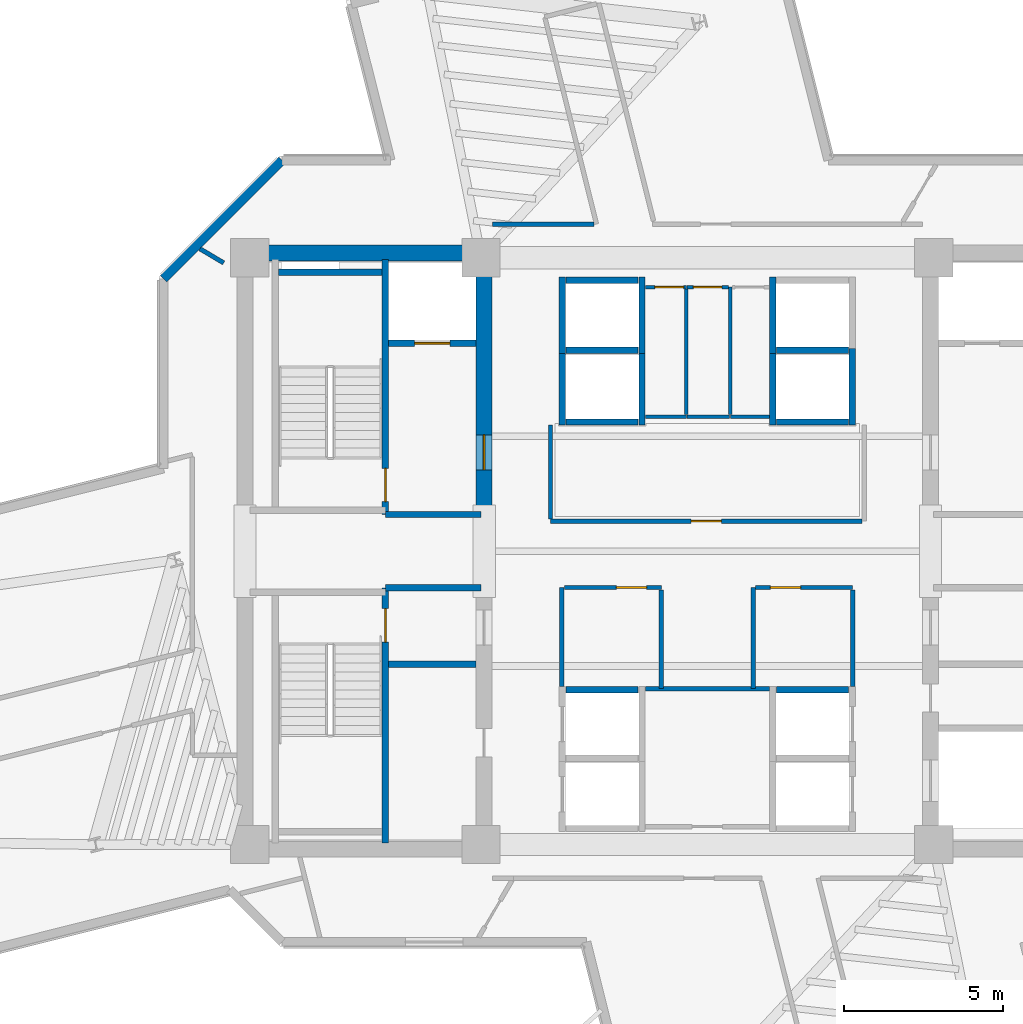
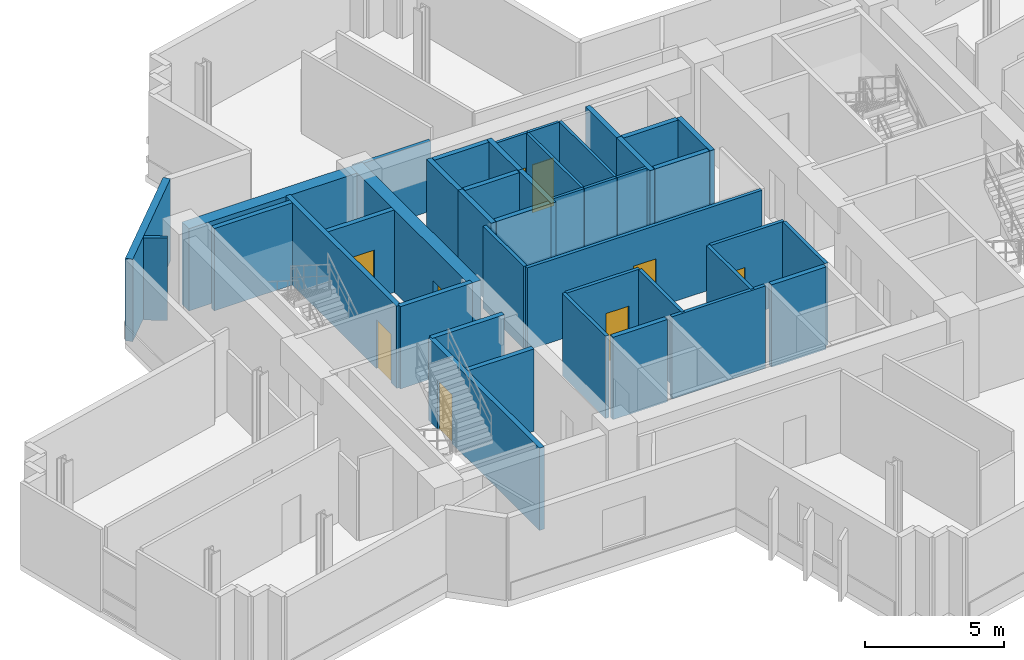
# One storey, part 7 of 13: 42 walls, 9 doors, 9 openings.
"""IFC4 building model written with IfcOpenShell, lengths in metres."""

from ifc_helpers import new_model, si_unit, direction, frame, frame_2d, origin, place, context, subcontext, project, spatial, rectangle, extrude, source, transform, mapped, material, layer, layer_set, type_object, element, fill, save


model = new_model("IFC4")

# Units and contexts
model_context = context("Model", 3, precision=1e-05, world=origin(), true_north=direction((0.0, 1.0)))
body_context = subcontext(model_context, "Body", "Model", "MODEL_VIEW")
ifc_project = project(units=[si_unit("LENGTHUNIT", "METRE"), si_unit("AREAUNIT", "SQUARE_METRE"), si_unit("VOLUMEUNIT", "CUBIC_METRE"), si_unit("PLANEANGLEUNIT", "RADIAN"), si_unit("MASSUNIT", "GRAM", prefix="KILO")], contexts=[model_context])

# Site, building, storey
site_placement = place(None, origin())
site = spatial("IfcSite", under=ifc_project, at=site_placement, CompositionType="ELEMENT")
building_placement = place(site_placement, origin())
building = spatial("IfcBuilding", under=site, at=building_placement, Name="Zahravan Cultural Tower", CompositionType="ELEMENT")
storey_placement = place(building_placement, frame((0.0, 0.0, 182.39990234375)))
storey = spatial("IfcBuildingStorey", under=building, at=storey_placement, Name="L42", CompositionType="ELEMENT", Elevation=182.39990234375)

# Wall, opening, door
ifc_material_1 = material(Name="Concrete C60/75", Category="concrete")
ifc_layer_1 = layer(ifc_material_1, 0.5)
ifc_layer_set_1 = layer_set([ifc_layer_1], Name="Concrete C60/75")
wall_type_1 = type_object("IfcWallType", Name="CW-SHEAR-500-C60", PredefinedType="SHEAR", material=ifc_layer_set_1)
wall_1_placement = place(storey_placement, frame((29.0, 28.050048828125, 0.0), z_axis=(0.0, 0.0, 1.0), x_axis=(0.0, 1.0, 0.0)))
wall_1 = element("IfcWall", 1, at=wall_1_placement, inside=storey, type_object=wall_type_1, Name="L42 Core Shear Wall CW-W-EN-L42", PredefinedType="SHEAR", context=body_context, shape_type="SweptSolid", body=[
    extrude(rectangle(XDim=8.550048828125, YDim=0.5, at=frame_2d((4.27490234375, 0.0))), origin(), (0.0, 0.0, 1.0), 3.6201171875),
])
opening_1_placement = place(wall_1_placement, frame((1.5, 0.0, 0.0)))
opening_1 = element("IfcOpeningElement", 2, at=opening_1_placement, cuts=wall_1, Name="Opening D-L42-05", PredefinedType="OPENING", context=body_context, shape_type="SweptSolid", body=[
    extrude(rectangle(XDim=1.10009765625, YDim=2.199951171875, at=frame_2d((0.550048828125, 1.10009765625))), frame((0.0, 0.260009765625, 0.0), z_axis=(0.0, -1.0, 0.0), x_axis=(1.0, 0.0, 0.0)), (0.0, 0.0, 1.0), 0.52001953125),
])
ifc_material_2 = material(Name="Steel ASTM A572 Grade 50", Category="steel")
door_type_1 = type_object("IfcDoorType", Name="DR-LOBBY-1100", OperationType="NOTDEFINED", PredefinedType="DOOR", material=ifc_material_2)
shared_shape_1 = source(origin(), body_context, "Body", "SweptSolid", [
    extrude(rectangle(XDim=1.10009765625, YDim=2.199951171875, at=frame_2d((0.550048828125, 1.10009765625))), frame((0.0, 0.02490234375, 0.0), z_axis=(0.0, -1.0, 0.0), x_axis=(1.0, 0.0, 0.0)), (0.0, 0.0, 1.0), 0.050048828125),
])
door_1_placement = place(opening_1_placement, origin())
door_1 = element("IfcDoor", 3, at=door_1_placement, inside=storey, type_object=door_type_1, Name="L42 Door D-L42-05", OperationType="SINGLE_SWING_RIGHT", OverallHeight=2.199951171875, OverallWidth=1.10009765625, PredefinedType="DOOR", context=body_context, shape_type="MappedRepresentation", body=[
    mapped(shared_shape_1, transform((0.0, 0.0, 0.0), x_axis=(1.0, 0.0, 0.0), y_axis=(0.0, 1.0, 0.0), z_axis=(0.0, 0.0, 1.0), scale=1.0)),
])
fill(opening_1, door_1)

ifc_material_3 = material(Name="Gypsum plasterboard partition")
ifc_layer_2 = layer(ifc_material_3, 0.139892578125)
ifc_layer_set_2 = layer_set([ifc_layer_2], Name="Gypsum plasterboard partition")
wall_type_2 = type_object("IfcWallType", Name="W-PART-140", PredefinedType="PARTITIONING", material=ifc_layer_set_2)
wall_2_placement = place(storey_placement, frame((31.514892578125, 25.860107421875, 0.0), z_axis=(0.0, 0.0, 1.0), x_axis=(1.0, 0.0, 0.0)))
wall_2 = element("IfcWall", 4, at=wall_2_placement, inside=storey, type_object=wall_type_2, Name="L42 Interior Wall 063", PredefinedType="PARTITIONING", context=body_context, shape_type="SweptSolid", body=[
    extrude(rectangle(XDim=3.045166015625, YDim=0.139892578125, at=frame_2d((1.5224609375, 0.0))), origin(), (0.0, 0.0, 1.0), 3.6201171875),
])
opening_2_placement = place(wall_2_placement, frame((1.634033203125, 0.0, 0.0)))
opening_2 = element("IfcOpeningElement", 5, at=opening_2_placement, cuts=wall_2, Name="Opening D-L42-11", PredefinedType="OPENING", context=body_context, shape_type="SweptSolid", body=[
    extrude(rectangle(XDim=0.949951171875, YDim=2.14990234375, at=frame_2d((0.47509765625, 1.074951171875))), frame((0.0, 0.079833984375, 0.0), z_axis=(0.0, -1.0, 0.0), x_axis=(1.0, 0.0, 0.0)), (0.0, 0.0, 1.0), 0.159912109375),
])
ifc_material_4 = material(Name="Anodised bronze-aluminium mullion", Category="aluminium")
door_type_2 = type_object("IfcDoorType", Name="DR-ROOM-950", OperationType="NOTDEFINED", PredefinedType="DOOR", material=ifc_material_4)
shared_shape_2 = source(origin(), body_context, "Body", "SweptSolid", [
    extrude(rectangle(XDim=0.949951171875, YDim=2.14990234375, at=frame_2d((0.47509765625, 1.074951171875))), frame((0.0, 0.02490234375, 0.0), z_axis=(0.0, -1.0, 0.0), x_axis=(1.0, 0.0, 0.0)), (0.0, 0.0, 1.0), 0.050048828125),
])
door_2_placement = place(opening_2_placement, origin())
door_2 = element("IfcDoor", 6, at=door_2_placement, inside=storey, type_object=door_type_2, Name="L42 Door D-L42-11", OperationType="SINGLE_SWING_RIGHT", OverallHeight=2.14990234375, OverallWidth=0.949951171875, PredefinedType="DOOR", context=body_context, shape_type="MappedRepresentation", body=[
    mapped(shared_shape_2, transform((0.0, 0.0, 0.0), x_axis=(1.0, 0.0, 0.0), y_axis=(0.0, 1.0, 0.0), z_axis=(0.0, 0.0, 1.0), scale=1.0)),
])
fill(opening_2, door_2)

wall_3_placement = place(storey_placement, frame((37.514892578125, 25.860107421875, 0.0), z_axis=(0.0, 0.0, 1.0), x_axis=(1.0, 0.0, 0.0)))
wall_3 = element("IfcWall", 7, at=wall_3_placement, inside=storey, type_object=wall_type_2, Name="L42 Interior Wall 066", PredefinedType="PARTITIONING", context=body_context, shape_type="SweptSolid", body=[
    extrude(rectangle(XDim=3.045166015625, YDim=0.139892578125, at=frame_2d((1.5224609375, 0.0))), origin(), (0.0, 0.0, 1.0), 3.6201171875),
])
opening_3_placement = place(wall_3_placement, frame((0.4609375, 0.0, 0.0)))
opening_3 = element("IfcOpeningElement", 8, at=opening_3_placement, cuts=wall_3, Name="Opening D-L42-12", PredefinedType="OPENING", context=body_context, shape_type="SweptSolid", body=[
    extrude(rectangle(XDim=0.949951171875, YDim=2.14990234375, at=frame_2d((0.47509765625, 1.074951171875))), frame((0.0, 0.079833984375, 0.0), z_axis=(0.0, -1.0, 0.0), x_axis=(1.0, 0.0, 0.0)), (0.0, 0.0, 1.0), 0.159912109375),
])
door_3_placement = place(opening_3_placement, origin())
door_3 = element("IfcDoor", 9, at=door_3_placement, inside=storey, type_object=door_type_2, Name="L42 Door D-L42-12", OperationType="SINGLE_SWING_LEFT", OverallHeight=2.14990234375, OverallWidth=0.949951171875, PredefinedType="DOOR", context=body_context, shape_type="MappedRepresentation", body=[
    mapped(shared_shape_2, transform((0.0, 0.0, 0.0), x_axis=(1.0, 0.0, 0.0), y_axis=(0.0, 1.0, 0.0), z_axis=(0.0, 0.0, 1.0), scale=1.0)),
])
fill(opening_3, door_3)

wall_4_placement = place(storey_placement, frame((40.844970703125, 27.93994140625, 0.0), z_axis=(0.0, 0.0, 1.0), x_axis=(-1.0, 0.0, 0.0)))
wall_4 = element("IfcWall", 10, at=wall_4_placement, inside=storey, type_object=wall_type_2, Name="L42 Interior Wall 077", PredefinedType="PARTITIONING", context=body_context, shape_type="SweptSolid", body=[
    extrude(rectangle(XDim=9.764892578125, YDim=0.139892578125, at=frame_2d((4.88232421875, 0.0))), origin(), (0.0, 0.0, 1.0), 3.6201171875),
])
opening_4_placement = place(wall_4_placement, frame((4.407470703125, 0.0, 0.0)))
opening_4 = element("IfcOpeningElement", 11, at=opening_4_placement, cuts=wall_4, Name="Opening D-L42-16", PredefinedType="OPENING", context=body_context, shape_type="SweptSolid", body=[
    extrude(rectangle(XDim=0.949951171875, YDim=2.14990234375, at=frame_2d((0.47509765625, 1.074951171875))), frame((0.0, 0.079833984375, 0.0), z_axis=(0.0, -1.0, 0.0), x_axis=(1.0, 0.0, 0.0)), (0.0, 0.0, 1.0), 0.159912109375),
])
door_4_placement = place(opening_4_placement, origin())
door_4 = element("IfcDoor", 12, at=door_4_placement, inside=storey, type_object=door_type_2, Name="L42 Door D-L42-16", OperationType="SINGLE_SWING_LEFT", OverallHeight=2.14990234375, OverallWidth=0.949951171875, PredefinedType="DOOR", context=body_context, shape_type="MappedRepresentation", body=[
    mapped(shared_shape_2, transform((0.0, 0.0, 0.0), x_axis=(1.0, 0.0, 0.0), y_axis=(0.0, 1.0, 0.0), z_axis=(0.0, 0.0, 1.0), scale=1.0)),
])
fill(opening_4, door_4)

ifc_material_5 = material(Name="Concrete C45/55", Category="concrete")
ifc_layer_3 = layer(ifc_material_5, 0.199951171875)
ifc_layer_set_3 = layer_set([ifc_layer_3], Name="Concrete C45/55")
wall_type_3 = type_object("IfcWallType", Name="W-SHAFT-200", PredefinedType="SOLIDWALL", material=ifc_layer_set_3)
wall_5_placement = place(storey_placement, frame((25.89990234375, 17.85009765625, 0.0), z_axis=(0.0, 0.0, 1.0), x_axis=(0.0, 1.0, 0.0)))
wall_5 = element("IfcWall", 13, at=wall_5_placement, inside=storey, type_object=wall_type_3, Name="L42 Interior Wall 005", PredefinedType="SOLIDWALL", context=body_context, shape_type="SweptSolid", body=[
    extrude(rectangle(XDim=8.0, YDim=0.199951171875, at=frame_2d((4.0, 0.0))), origin(), (0.0, 0.0, 1.0), 3.6201171875),
])
opening_5_placement = place(wall_5_placement, frame((6.300048828125, 0.0, 0.0)))
opening_5 = element("IfcOpeningElement", 14, at=opening_5_placement, cuts=wall_5, Name="Opening D-L42-04", PredefinedType="OPENING", context=body_context, shape_type="SweptSolid", body=[
    extrude(rectangle(XDim=1.050048828125, YDim=2.14990234375, at=frame_2d((0.52490234375, 1.074951171875))), frame((0.0, 0.10986328125, 0.0), z_axis=(0.0, -1.0, 0.0), x_axis=(1.0, 0.0, 0.0)), (0.0, 0.0, 1.0), 0.219970703125),
])
door_type_3 = type_object("IfcDoorType", Name="DR-STAIR-1050", OperationType="NOTDEFINED", PredefinedType="DOOR", material=ifc_material_2)
shared_shape_3 = source(origin(), body_context, "Body", "SweptSolid", [
    extrude(rectangle(XDim=1.050048828125, YDim=2.14990234375, at=frame_2d((0.52490234375, 1.074951171875))), frame((0.0, 0.02490234375, 0.0), z_axis=(0.0, -1.0, 0.0), x_axis=(1.0, 0.0, 0.0)), (0.0, 0.0, 1.0), 0.050048828125),
])
door_5_placement = place(opening_5_placement, origin())
door_5 = element("IfcDoor", 15, at=door_5_placement, inside=storey, type_object=door_type_3, Name="L42 Door D-L42-04", OperationType="SINGLE_SWING_LEFT", OverallHeight=2.14990234375, OverallWidth=1.050048828125, PredefinedType="DOOR", context=body_context, shape_type="MappedRepresentation", body=[
    mapped(shared_shape_3, transform((0.0, 0.0, 0.0), x_axis=(1.0, 0.0, 0.0), y_axis=(0.0, 1.0, 0.0), z_axis=(0.0, 0.0, 1.0), scale=1.0)),
])
fill(opening_5, door_5)

wall_6_placement = place(storey_placement, frame((25.89990234375, 28.14990234375, 0.0), z_axis=(0.0, 0.0, 1.0), x_axis=(0.0, 1.0, 0.0)))
wall_6 = element("IfcWall", 16, at=wall_6_placement, inside=storey, type_object=wall_type_3, Name="L42 Interior Wall 006", PredefinedType="SOLIDWALL", context=body_context, shape_type="SweptSolid", body=[
    extrude(rectangle(XDim=8.0, YDim=0.199951171875, at=frame_2d((4.0, 0.0))), origin(), (0.0, 0.0, 1.0), 3.6201171875),
])
opening_6_placement = place(wall_6_placement, frame((0.39990234375, 0.0, 0.0)))
opening_6 = element("IfcOpeningElement", 17, at=opening_6_placement, cuts=wall_6, Name="Opening D-L42-01", PredefinedType="OPENING", context=body_context, shape_type="SweptSolid", body=[
    extrude(rectangle(XDim=1.050048828125, YDim=2.14990234375, at=frame_2d((0.52490234375, 1.074951171875))), frame((0.0, 0.10986328125, 0.0), z_axis=(0.0, -1.0, 0.0), x_axis=(1.0, 0.0, 0.0)), (0.0, 0.0, 1.0), 0.219970703125),
])
door_6_placement = place(opening_6_placement, origin())
door_6 = element("IfcDoor", 18, at=door_6_placement, inside=storey, type_object=door_type_3, Name="L42 Door D-L42-01", OperationType="SINGLE_SWING_RIGHT", OverallHeight=2.14990234375, OverallWidth=1.050048828125, PredefinedType="DOOR", context=body_context, shape_type="MappedRepresentation", body=[
    mapped(shared_shape_3, transform((0.0, 0.0, 0.0), x_axis=(1.0, 0.0, 0.0), y_axis=(0.0, 1.0, 0.0), z_axis=(0.0, 0.0, 1.0), scale=1.0)),
])
fill(opening_6, door_6)

wall_7_placement = place(storey_placement, frame((26.0, 33.52001953125, 0.0), z_axis=(0.0, 0.0, 1.0), x_axis=(1.0, 0.0, 0.0)))
wall_7 = element("IfcWall", 19, at=wall_7_placement, inside=storey, type_object=wall_type_3, Name="L42 Interior Wall 021", PredefinedType="SOLIDWALL", context=body_context, shape_type="SweptSolid", body=[
    extrude(rectangle(XDim=2.75, YDim=0.199951171875, at=frame_2d((1.375, 0.0))), origin(), (0.0, 0.0, 1.0), 3.6201171875),
])
opening_7_placement = place(wall_7_placement, frame((0.820068359375, 0.0, 0.0)))
opening_7 = element("IfcOpeningElement", 20, at=opening_7_placement, cuts=wall_7, Name="Opening LD-L42-01", PredefinedType="OPENING", context=body_context, shape_type="SweptSolid", body=[
    extrude(rectangle(XDim=1.10009765625, YDim=2.14990234375, at=frame_2d((0.550048828125, 1.074951171875))), frame((0.0, 0.10986328125, 0.0), z_axis=(0.0, -1.0, 0.0), x_axis=(1.0, 0.0, 0.0)), (0.0, 0.0, 1.0), 0.219970703125),
])
door_type_4 = type_object("IfcDoorType", Name="DR-LIFT-1100", OperationType="DOUBLE_DOOR_SLIDING", PredefinedType="DOOR", material=ifc_material_2)
shared_shape_4 = source(origin(), body_context, "Body", "SweptSolid", [
    extrude(rectangle(XDim=1.10009765625, YDim=2.14990234375, at=frame_2d((0.550048828125, 1.074951171875))), frame((0.0, 0.02490234375, 0.0), z_axis=(0.0, -1.0, 0.0), x_axis=(1.0, 0.0, 0.0)), (0.0, 0.0, 1.0), 0.050048828125),
])
door_7_placement = place(opening_7_placement, origin())
door_7 = element("IfcDoor", 21, at=door_7_placement, inside=storey, type_object=door_type_4, Name="L42 Door LD-L42-01", OperationType="DOUBLE_DOOR_SLIDING", OverallHeight=2.14990234375, OverallWidth=1.10009765625, PredefinedType="DOOR", context=body_context, shape_type="MappedRepresentation", body=[
    mapped(shared_shape_4, transform((0.0, 0.0, 0.0), x_axis=(1.0, 0.0, 0.0), y_axis=(0.0, 1.0, 0.0), z_axis=(0.0, 0.0, 1.0), scale=1.0)),
])
fill(opening_7, door_7)

ifc_layer_4 = layer(ifc_material_3, 0.114990234375)
ifc_layer_set_4 = layer_set([ifc_layer_4], Name="Gypsum plasterboard partition")
wall_type_4 = type_object("IfcWallType", Name="W-WC-115", PredefinedType="PARTITIONING", material=ifc_layer_set_4)
wall_8_placement = place(storey_placement, frame((34.054931640625, 35.280029296875, 0.0), z_axis=(0.0, 0.0, 1.0), x_axis=(1.0, 0.0, 0.0)))
wall_8 = element("IfcWall", 22, at=wall_8_placement, inside=storey, type_object=wall_type_4, Name="L42 Interior Wall 058", PredefinedType="PARTITIONING", context=body_context, shape_type="SweptSolid", body=[
    extrude(rectangle(XDim=1.28515625, YDim=0.114990234375, at=frame_2d((0.642578125, 0.0))), origin(), (0.0, 0.0, 1.0), 3.6201171875),
])
opening_8_placement = place(wall_8_placement, frame((0.30029296875, 0.0, 0.0)))
opening_8 = element("IfcOpeningElement", 23, at=opening_8_placement, cuts=wall_8, Name="Opening D-L42-13", PredefinedType="OPENING", context=body_context, shape_type="SweptSolid", body=[
    extrude(rectangle(XDim=0.89990234375, YDim=2.10009765625, at=frame_2d((0.449951171875, 1.050048828125))), frame((0.0, 0.0673828125, 0.0), z_axis=(0.0, -1.0, 0.0), x_axis=(1.0, 0.0, 0.0)), (0.0, 0.0, 1.0), 0.135009765625),
])
door_type_5 = type_object("IfcDoorType", Name="DR-WC-900", OperationType="NOTDEFINED", PredefinedType="DOOR", material=ifc_material_4)
shared_shape_5 = source(origin(), body_context, "Body", "SweptSolid", [
    extrude(rectangle(XDim=0.89990234375, YDim=2.10009765625, at=frame_2d((0.449951171875, 1.050048828125))), frame((0.0, 0.02490234375, 0.0), z_axis=(0.0, -1.0, 0.0), x_axis=(1.0, 0.0, 0.0)), (0.0, 0.0, 1.0), 0.050048828125),
])
door_8_placement = place(opening_8_placement, origin())
door_8 = element("IfcDoor", 24, at=door_8_placement, inside=storey, type_object=door_type_5, Name="L42 Door D-L42-13", OperationType="SINGLE_SWING_RIGHT", OverallHeight=2.10009765625, OverallWidth=0.89990234375, PredefinedType="DOOR", context=body_context, shape_type="MappedRepresentation", body=[
    mapped(shared_shape_5, transform((0.0, 0.0, 0.0), x_axis=(1.0, 0.0, 0.0), y_axis=(0.0, 1.0, 0.0), z_axis=(0.0, 0.0, 1.0), scale=1.0)),
])
fill(opening_8, door_8)

wall_9_placement = place(storey_placement, frame((35.360107421875, 35.280029296875, 0.0), z_axis=(0.0, 0.0, 1.0), x_axis=(1.0, 0.0, 0.0)))
wall_9 = element("IfcWall", 25, at=wall_9_placement, inside=storey, type_object=wall_type_4, Name="L42 Interior Wall 061", PredefinedType="PARTITIONING", context=body_context, shape_type="SweptSolid", body=[
    extrude(rectangle(XDim=1.29736328125, YDim=0.114990234375, at=frame_2d((0.648681640625, 0.0))), origin(), (0.0, 0.0, 1.0), 3.6201171875),
])
opening_9_placement = place(wall_9_placement, frame((0.19873046875, 0.0, 0.0)))
opening_9 = element("IfcOpeningElement", 26, at=opening_9_placement, cuts=wall_9, Name="Opening D-L42-14", PredefinedType="OPENING", context=body_context, shape_type="SweptSolid", body=[
    extrude(rectangle(XDim=0.89990234375, YDim=2.10009765625, at=frame_2d((0.449951171875, 1.050048828125))), frame((0.0, 0.0673828125, 0.0), z_axis=(0.0, -1.0, 0.0), x_axis=(1.0, 0.0, 0.0)), (0.0, 0.0, 1.0), 0.135009765625),
])
door_9_placement = place(opening_9_placement, origin())
door_9 = element("IfcDoor", 27, at=door_9_placement, inside=storey, type_object=door_type_5, Name="L42 Door D-L42-14", OperationType="SINGLE_SWING_LEFT", OverallHeight=2.10009765625, OverallWidth=0.89990234375, PredefinedType="DOOR", context=body_context, shape_type="MappedRepresentation", body=[
    mapped(shared_shape_5, transform((0.0, 0.0, 0.0), x_axis=(1.0, 0.0, 0.0), y_axis=(0.0, 1.0, 0.0), z_axis=(0.0, 0.0, 1.0), scale=1.0)),
])
fill(opening_9, door_9)

# Walls
shared_shape_6 = source(origin(), body_context, "Body", "SweptSolid", [
    extrude(rectangle(XDim=7.0, YDim=0.5, at=frame_2d((3.5, 0.0))), origin(), (0.0, 0.0, 1.0), 3.6201171875),
])
wall_10_placement = place(storey_placement, frame((21.75, 36.35009765625, 0.0), z_axis=(0.0, 0.0, 1.0), x_axis=(1.0, 0.0, 0.0)))
element("IfcWall", 28, at=wall_10_placement, inside=storey, type_object=wall_type_1, Name="L42 Core Shear Wall CW-W-N-L42", PredefinedType="SHEAR", context=body_context, shape_type="MappedRepresentation", body=[
    mapped(shared_shape_6, transform((0.0, 0.0, 0.0), x_axis=(1.0, 0.0, 0.0), y_axis=(0.0, 1.0, 0.0), z_axis=(0.0, 0.0, 1.0), scale=1.0)),
])
ifc_material_6 = material(Name="Precast concrete C40/50", Category="concrete")
ifc_layer_5 = layer(ifc_material_6, 0.280029296875)
ifc_layer_set_5 = layer_set([ifc_layer_5], Name="Precast concrete C40/50")
wall_type_5 = type_object("IfcWallType", Name="EW-TC-280", PredefinedType="SOLIDWALL", material=ifc_layer_set_5)
shared_shape_7 = source(origin(), body_context, "Body", "SweptSolid", [
    extrude(rectangle(XDim=5.258056640625, YDim=0.280029296875, at=frame_2d((2.62890625, 0.0))), origin(), (0.0, 0.0, 1.0), 3.6201171875),
])
wall_11_placement = place(storey_placement, frame((18.93994140625, 35.5419921875, 0.0), z_axis=(0.0, 0.0, 1.0), x_axis=(0.707106781187, 0.707106781187, 0.0)))
element("IfcWall", 29, at=wall_11_placement, inside=storey, type_object=wall_type_5, Name="L42 Exterior Masonry Frame Wall 38", PredefinedType="SOLIDWALL", context=body_context, shape_type="MappedRepresentation", body=[
    mapped(shared_shape_7, transform((0.0, 0.0, 0.0), x_axis=(1.0, 0.0, 0.0), y_axis=(0.0, 1.0, 0.0), z_axis=(0.0, 0.0, 1.0), scale=1.0)),
])
shared_shape_8 = source(origin(), body_context, "Body", "SweptSolid", [
    extrude(rectangle(XDim=3.0, YDim=0.199951171875, at=frame_2d((1.5, 0.0))), origin(), (0.0, 0.0, 1.0), 3.6201171875),
])
for number, where, z_axis, x_axis, name in (
    (30, (25.89990234375, 25.85009765625, 0.0), (0.0, 0.0, 1.0), (1.0, 0.0, 0.0), "L42 Interior Wall 010"),
    (31, (25.89990234375, 28.14990234375, 0.0), (0.0, 0.0, 1.0), (1.0, 0.0, 0.0), "L42 Interior Wall 012"),
):
    element("IfcWall", number, at=place(storey_placement, frame(where, z_axis=z_axis, x_axis=x_axis)), inside=storey, type_object=wall_type_3, Name=name, PredefinedType="SOLIDWALL", context=body_context, shape_type="MappedRepresentation", body=[
        mapped(shared_shape_8, transform((0.0, 0.0, 0.0), x_axis=(1.0, 0.0, 0.0), y_axis=(0.0, 1.0, 0.0), z_axis=(0.0, 0.0, 1.0), scale=1.0)),
    ])
shared_shape_9 = source(origin(), body_context, "Body", "SweptSolid", [
    extrude(rectangle(XDim=3.25, YDim=0.199951171875, at=frame_2d((1.625, 0.0))), origin(), (0.0, 0.0, 1.0), 3.6201171875),
])
wall_12_placement = place(storey_placement, frame((22.550048828125, 35.75, 0.0), z_axis=(0.0, 0.0, 1.0), x_axis=(1.0, 0.0, 0.0)))
element("IfcWall", 32, at=wall_12_placement, inside=storey, type_object=wall_type_3, Name="L42 Interior Wall 017", PredefinedType="SOLIDWALL", context=body_context, shape_type="MappedRepresentation", body=[
    mapped(shared_shape_9, transform((0.0, 0.0, 0.0), x_axis=(1.0, 0.0, 0.0), y_axis=(0.0, 1.0, 0.0), z_axis=(0.0, 0.0, 1.0), scale=1.0)),
])
shared_shape_10 = source(origin(), body_context, "Body", "SweptSolid", [
    extrude(rectangle(XDim=2.75, YDim=0.199951171875, at=frame_2d((1.375, 0.0))), origin(), (0.0, 0.0, 1.0), 3.6201171875),
])
wall_13_placement = place(storey_placement, frame((26.0, 23.449951171875, 0.0), z_axis=(0.0, 0.0, 1.0), x_axis=(1.0, 0.0, 0.0)))
element("IfcWall", 33, at=wall_13_placement, inside=storey, type_object=wall_type_3, Name="L42 Interior Wall 023", PredefinedType="SOLIDWALL", context=body_context, shape_type="MappedRepresentation", body=[
    mapped(shared_shape_10, transform((0.0, 0.0, 0.0), x_axis=(1.0, 0.0, 0.0), y_axis=(0.0, 1.0, 0.0), z_axis=(0.0, 0.0, 1.0), scale=1.0)),
])
shared_shape_11 = source(origin(), body_context, "Body", "SweptSolid", [
    extrude(rectangle(XDim=2.400146484375, YDim=0.199951171875, at=frame_2d((1.2001953125, 0.0))), origin(), (0.0, 0.0, 1.0), 3.6201171875),
])
for number, where, z_axis, x_axis, name in (
    (34, (31.449951171875, 33.199951171875, 0.0), (0.0, 0.0, 1.0), (0.0, 1.0, 0.0), "L42 Interior Wall 026"),
    (35, (33.949951171875, 33.199951171875, 0.0), (0.0, 0.0, 1.0), (0.0, 1.0, 0.0), "L42 Interior Wall 027"),
    (36, (31.449951171875, 30.949951171875, 0.0), (0.0, 0.0, 1.0), (0.0, 1.0, 0.0), "L42 Interior Wall 030"),
    (37, (33.949951171875, 30.949951171875, 0.0), (0.0, 0.0, 1.0), (0.0, 1.0, 0.0), "L42 Interior Wall 031"),
    (38, (38.050048828125, 33.199951171875, 0.0), (0.0, 0.0, 1.0), (0.0, 1.0, 0.0), "L42 Interior Wall 033"),
    (39, (38.050048828125, 30.949951171875, 0.0), (0.0, 0.0, 1.0), (0.0, 1.0, 0.0), "L42 Interior Wall 037"),
    (40, (40.550048828125, 30.949951171875, 0.0), (0.0, 0.0, 1.0), (0.0, 1.0, 0.0), "L42 Interior Wall 038"),
):
    element("IfcWall", number, at=place(storey_placement, frame(where, z_axis=z_axis, x_axis=x_axis)), inside=storey, type_object=wall_type_3, Name=name, PredefinedType="SOLIDWALL", context=body_context, shape_type="MappedRepresentation", body=[
        mapped(shared_shape_11, transform((0.0, 0.0, 0.0), x_axis=(1.0, 0.0, 0.0), y_axis=(0.0, 1.0, 0.0), z_axis=(0.0, 0.0, 1.0), scale=1.0)),
    ])
shared_shape_12 = source(origin(), body_context, "Body", "SweptSolid", [
    extrude(rectangle(XDim=2.260009765625, YDim=0.199951171875, at=frame_2d((1.1298828125, 0.0))), origin(), (0.0, 0.0, 1.0), 3.6201171875),
])
for number, where, z_axis, x_axis, name in (
    (41, (31.570068359375, 33.300048828125, 0.0), (0.0, 0.0, 1.0), (1.0, 0.0, 0.0), "L42 Interior Wall 028"),
    (42, (31.570068359375, 35.5, 0.0), (0.0, 0.0, 1.0), (1.0, 0.0, 0.0), "L42 Interior Wall 029"),
    (43, (31.570068359375, 31.050048828125, 0.0), (0.0, 0.0, 1.0), (1.0, 0.0, 0.0), "L42 Interior Wall 032"),
    (44, (38.169921875, 33.300048828125, 0.0), (0.0, 0.0, 1.0), (1.0, 0.0, 0.0), "L42 Interior Wall 035"),
    (45, (38.169921875, 31.050048828125, 0.0), (0.0, 0.0, 1.0), (1.0, 0.0, 0.0), "L42 Interior Wall 039"),
    (46, (31.570068359375, 22.64990234375, 0.0), (0.0, 0.0, 1.0), (1.0, 0.0, 0.0), "L42 Interior Wall 043"),
    (47, (38.169921875, 22.64990234375, 0.0), (0.0, 0.0, 1.0), (1.0, 0.0, 0.0), "L42 Interior Wall 050"),
):
    element("IfcWall", number, at=place(storey_placement, frame(where, z_axis=z_axis, x_axis=x_axis)), inside=storey, type_object=wall_type_3, Name=name, PredefinedType="SOLIDWALL", context=body_context, shape_type="MappedRepresentation", body=[
        mapped(shared_shape_12, transform((0.0, 0.0, 0.0), x_axis=(1.0, 0.0, 0.0), y_axis=(0.0, 1.0, 0.0), z_axis=(0.0, 0.0, 1.0), scale=1.0)),
    ])
shared_shape_13 = source(origin(), body_context, "Body", "SweptSolid", [
    extrude(rectangle(XDim=3.110107421875, YDim=0.139892578125, at=frame_2d((1.55517578125, 0.0))), origin(), (0.0, 0.0, 1.0), 3.6201171875),
])
wall_14_placement = place(storey_placement, frame((31.43994140625, 22.75, 0.0), z_axis=(0.0, 0.0, 1.0), x_axis=(0.0, 1.0, 0.0)))
element("IfcWall", 48, at=wall_14_placement, inside=storey, type_object=wall_type_2, Name="L42 Interior Wall 062", PredefinedType="PARTITIONING", context=body_context, shape_type="MappedRepresentation", body=[
    mapped(shared_shape_13, transform((0.0, 0.0, 0.0), x_axis=(1.0, 0.0, 0.0), y_axis=(0.0, 1.0, 0.0), z_axis=(0.0, 0.0, 1.0), scale=1.0)),
])
shared_shape_14 = source(origin(), body_context, "Body", "SweptSolid", [
    extrude(rectangle(XDim=3.034912109375, YDim=0.139892578125, at=frame_2d((1.517578125, 0.0))), origin(), (0.0, 0.0, 1.0), 3.6201171875),
])
wall_15_placement = place(storey_placement, frame((40.56005859375, 25.784912109375, 0.0), z_axis=(0.0, 0.0, 1.0), x_axis=(0.0, -1.0, 0.0)))
element("IfcWall", 49, at=wall_15_placement, inside=storey, type_object=wall_type_2, Name="L42 Interior Wall 067", PredefinedType="PARTITIONING", context=body_context, shape_type="MappedRepresentation", body=[
    mapped(shared_shape_14, transform((0.0, 0.0, 0.0), x_axis=(1.0, 0.0, 0.0), y_axis=(0.0, 1.0, 0.0), z_axis=(0.0, 0.0, 1.0), scale=1.0)),
])
shared_shape_15 = source(origin(), body_context, "Body", "SweptSolid", [
    extrude(rectangle(XDim=2.93505859375, YDim=0.139892578125, at=frame_2d((1.467529296875, 0.0))), origin(), (0.0, 0.0, 1.0), 3.6201171875),
])
wall_16_placement = place(storey_placement, frame((31.080078125, 28.014892578125, 0.0), z_axis=(0.0, 0.0, 1.0), x_axis=(0.0, 1.0, 0.0)))
element("IfcWall", 50, at=wall_16_placement, inside=storey, type_object=wall_type_2, Name="L42 Interior Wall 078", PredefinedType="PARTITIONING", context=body_context, shape_type="MappedRepresentation", body=[
    mapped(shared_shape_15, transform((0.0, 0.0, 0.0), x_axis=(1.0, 0.0, 0.0), y_axis=(0.0, 1.0, 0.0), z_axis=(0.0, 0.0, 1.0), scale=1.0)),
])
shared_shape_16 = source(origin(), body_context, "Body", "SweptSolid", [
    extrude(rectangle(XDim=1.22509765625, YDim=0.114990234375, at=frame_2d((0.612548828125, 0.0))), origin(), (0.0, 0.0, 1.0), 3.6201171875),
])
wall_17_placement = place(storey_placement, frame((37.945068359375, 31.219970703125, 0.0), z_axis=(0.0, 0.0, 1.0), x_axis=(-1.0, 0.0, 0.0)))
element("IfcWall", 51, at=wall_17_placement, inside=storey, type_object=wall_type_4, Name="L42 Interior Wall 054", PredefinedType="PARTITIONING", context=body_context, shape_type="MappedRepresentation", body=[
    mapped(shared_shape_16, transform((0.0, 0.0, 0.0), x_axis=(1.0, 0.0, 0.0), y_axis=(0.0, 1.0, 0.0), z_axis=(0.0, 0.0, 1.0), scale=1.0)),
])
shared_shape_17 = source(origin(), body_context, "Body", "SweptSolid", [
    extrude(rectangle(XDim=3.99755859375, YDim=0.114990234375, at=frame_2d((1.998779296875, 0.0))), origin(), (0.0, 0.0, 1.0), 3.6201171875),
])
wall_18_placement = place(storey_placement, frame((36.719970703125, 31.282470703125, 0.0), z_axis=(0.0, 0.0, 1.0), x_axis=(0.0, 1.0, 0.0)))
element("IfcWall", 52, at=wall_18_placement, inside=storey, type_object=wall_type_4, Name="L42 Interior Wall 055", PredefinedType="PARTITIONING", context=body_context, shape_type="MappedRepresentation", body=[
    mapped(shared_shape_17, transform((0.0, 0.0, 0.0), x_axis=(1.0, 0.0, 0.0), y_axis=(0.0, 1.0, 0.0), z_axis=(0.0, 0.0, 1.0), scale=1.0)),
])
shared_shape_18 = source(origin(), body_context, "Body", "SweptSolid", [
    extrude(rectangle(XDim=1.28515625, YDim=0.114990234375, at=frame_2d((0.642578125, 0.0))), origin(), (0.0, 0.0, 1.0), 3.6201171875),
])
wall_19_placement = place(storey_placement, frame((35.340087890625, 31.219970703125, 0.0), z_axis=(0.0, 0.0, 1.0), x_axis=(-1.0, 0.0, 0.0)))
element("IfcWall", 53, at=wall_19_placement, inside=storey, type_object=wall_type_4, Name="L42 Interior Wall 057", PredefinedType="PARTITIONING", context=body_context, shape_type="MappedRepresentation", body=[
    mapped(shared_shape_18, transform((0.0, 0.0, 0.0), x_axis=(1.0, 0.0, 0.0), y_axis=(0.0, 1.0, 0.0), z_axis=(0.0, 0.0, 1.0), scale=1.0)),
])
shared_shape_19 = source(origin(), body_context, "Body", "SweptSolid", [
    extrude(rectangle(XDim=3.93505859375, YDim=0.114990234375, at=frame_2d((1.967529296875, 0.0))), origin(), (0.0, 0.0, 1.0), 3.6201171875),
])
wall_20_placement = place(storey_placement, frame((35.340087890625, 35.217529296875, 0.0), z_axis=(0.0, 0.0, 1.0), x_axis=(0.0, -1.0, 0.0)))
element("IfcWall", 54, at=wall_20_placement, inside=storey, type_object=wall_type_4, Name="L42 Interior Wall 059", PredefinedType="PARTITIONING", context=body_context, shape_type="MappedRepresentation", body=[
    mapped(shared_shape_19, transform((0.0, 0.0, 0.0), x_axis=(1.0, 0.0, 0.0), y_axis=(0.0, 1.0, 0.0), z_axis=(0.0, 0.0, 1.0), scale=1.0)),
])
shared_shape_20 = source(origin(), body_context, "Body", "SweptSolid", [
    extrude(rectangle(XDim=1.33984375, YDim=0.114990234375, at=frame_2d((0.669921875, 0.0))), origin(), (0.0, 0.0, 1.0), 3.6201171875),
])
wall_21_placement = place(storey_placement, frame((36.699951171875, 31.219970703125, 0.0), z_axis=(0.0, 0.0, 1.0), x_axis=(-1.0, 0.0, 0.0)))
element("IfcWall", 55, at=wall_21_placement, inside=storey, type_object=wall_type_4, Name="L42 Interior Wall 060", PredefinedType="PARTITIONING", context=body_context, shape_type="MappedRepresentation", body=[
    mapped(shared_shape_20, transform((0.0, 0.0, 0.0), x_axis=(1.0, 0.0, 0.0), y_axis=(0.0, 1.0, 0.0), z_axis=(0.0, 0.0, 1.0), scale=1.0)),
])
shared_shape_21 = source(origin(), body_context, "Body", "SweptSolid", [
    extrude(rectangle(XDim=3.094970703125, YDim=0.139892578125, at=frame_2d((1.54736328125, 0.0))), origin(), (0.0, 0.0, 1.0), 3.6201171875),
])
wall_22_placement = place(storey_placement, frame((34.56005859375, 25.784912109375, 0.0), z_axis=(0.0, 0.0, 1.0), x_axis=(0.0, -1.0, 0.0)))
element("IfcWall", 56, at=wall_22_placement, inside=storey, type_object=wall_type_2, Name="L42 Interior Wall 064", PredefinedType="PARTITIONING", context=body_context, shape_type="MappedRepresentation", body=[
    mapped(shared_shape_21, transform((0.0, 0.0, 0.0), x_axis=(1.0, 0.0, 0.0), y_axis=(0.0, 1.0, 0.0), z_axis=(0.0, 0.0, 1.0), scale=1.0)),
])
shared_shape_22 = source(origin(), body_context, "Body", "SweptSolid", [
    extrude(rectangle(XDim=3.170166015625, YDim=0.139892578125, at=frame_2d((1.5849609375, 0.0))), origin(), (0.0, 0.0, 1.0), 3.6201171875),
])
wall_23_placement = place(storey_placement, frame((37.43994140625, 22.68994140625, 0.0), z_axis=(0.0, 0.0, 1.0), x_axis=(0.0, 1.0, 0.0)))
element("IfcWall", 57, at=wall_23_placement, inside=storey, type_object=wall_type_2, Name="L42 Interior Wall 065", PredefinedType="PARTITIONING", context=body_context, shape_type="MappedRepresentation", body=[
    mapped(shared_shape_22, transform((0.0, 0.0, 0.0), x_axis=(1.0, 0.0, 0.0), y_axis=(0.0, 1.0, 0.0), z_axis=(0.0, 0.0, 1.0), scale=1.0)),
])
shared_shape_23 = source(origin(), body_context, "Body", "SweptSolid", [
    extrude(rectangle(XDim=3.89013671875, YDim=0.139892578125, at=frame_2d((1.945068359375, 0.0))), origin(), (0.0, 0.0, 1.0), 3.6201171875),
])
wall_24_placement = place(storey_placement, frame((34.054931640625, 22.679931640625, 0.0), z_axis=(0.0, 0.0, 1.0), x_axis=(1.0, 0.0, 0.0)))
element("IfcWall", 58, at=wall_24_placement, inside=storey, type_object=wall_type_2, Name="L42 Interior Wall 074", PredefinedType="PARTITIONING", context=body_context, shape_type="MappedRepresentation", body=[
    mapped(shared_shape_23, transform((0.0, 0.0, 0.0), x_axis=(1.0, 0.0, 0.0), y_axis=(0.0, 1.0, 0.0), z_axis=(0.0, 0.0, 1.0), scale=1.0)),
])
shared_shape_24 = source(origin(), body_context, "Body", "SweptSolid", [
    extrude(rectangle(XDim=3.19091796875, YDim=0.139892578125, at=frame_2d((1.595458984375, 0.0))), origin(), (0.0, 0.0, 1.0), 3.0791015625),
])
wall_25_placement = place(storey_placement, frame((32.44580078125, 37.260009765625, 0.0), z_axis=(0.0, 0.0, 1.0), x_axis=(-0.999999926826, -0.000382555443, 0.0)))
element("IfcWall", 59, at=wall_25_placement, inside=storey, type_object=wall_type_2, Name="L42 Interior Wall 101", PredefinedType="PARTITIONING", context=body_context, shape_type="MappedRepresentation", body=[
    mapped(shared_shape_24, transform((0.0, 0.0, 0.0), x_axis=(1.0, 0.0, 0.0), y_axis=(0.0, 1.0, 0.0), z_axis=(0.0, 0.0, 1.0), scale=1.0)),
])
shared_shape_25 = source(origin(), body_context, "Body", "SweptSolid", [
    extrude(rectangle(XDim=0.865478515625, YDim=0.139892578125, at=frame_2d((0.4326171875, 0.0))), origin(), (0.0, 0.0, 1.0), 3.6201171875),
])
wall_26_placement = place(storey_placement, frame((20.830078125, 36.04150390625, 0.0), z_axis=(0.0, 0.0, 1.0), x_axis=(-0.860144859581, 0.510049821621, 0.0)))
element("IfcWall", 60, at=wall_26_placement, inside=storey, type_object=wall_type_2, Name="L42 Interior Wall 102", PredefinedType="PARTITIONING", context=body_context, shape_type="MappedRepresentation", body=[
    mapped(shared_shape_25, transform((0.0, 0.0, 0.0), x_axis=(1.0, 0.0, 0.0), y_axis=(0.0, 1.0, 0.0), z_axis=(0.0, 0.0, 1.0), scale=1.0)),
])

save(model, "model.ifc")
